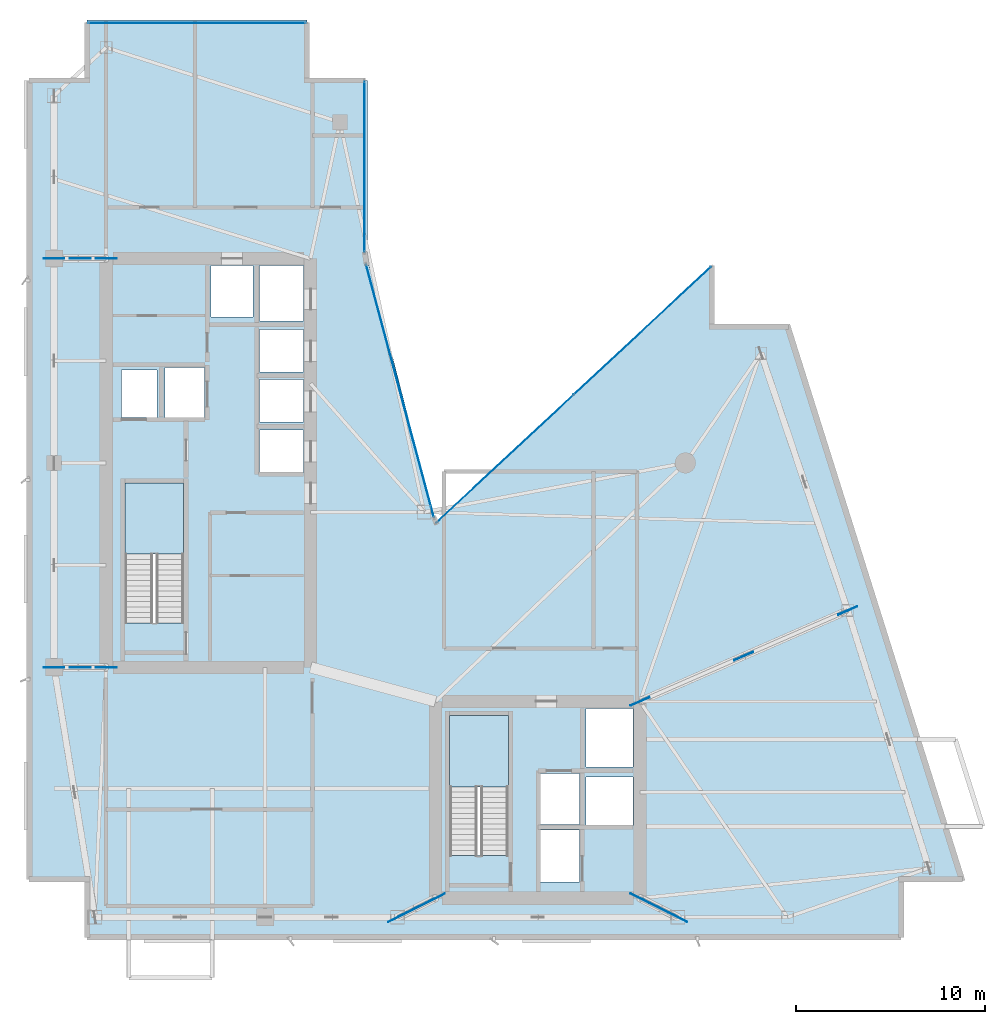
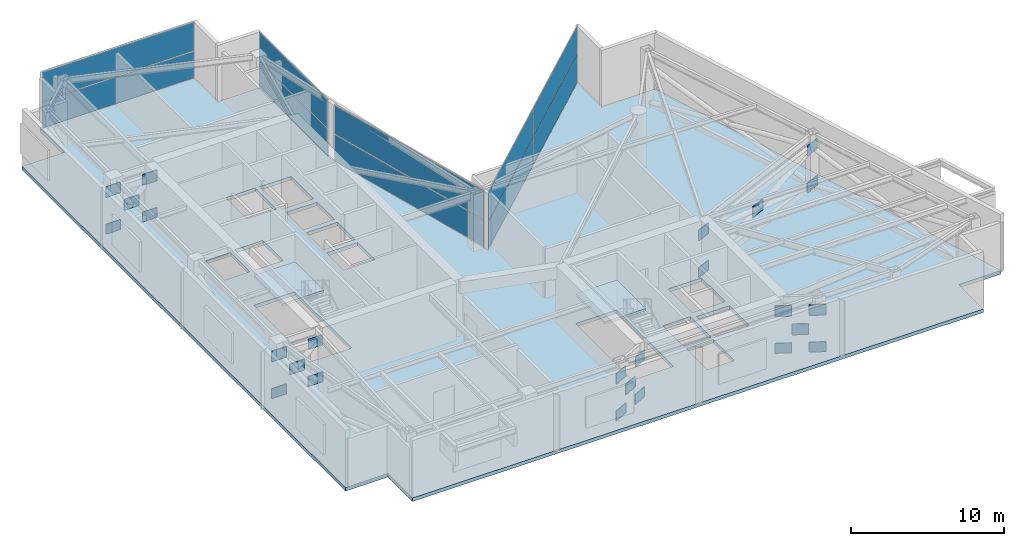
# One storey, part 9 of 16: 35 plates, 3 slabs, 6 elements without a shape of their own.
"""IFC4 building model written with IfcOpenShell, lengths in metres."""

import ifcopenshell
import ifcopenshell.guid

model = None  # the IFC model being written
_history = None  # IfcOwnerHistory: only IFC2X3 demands one
_inside = {}  # id of a spatial element -> (the spatial element, [elements in it])
_under = {}  # id of a project, library or spatial element -> (it, [spatial elements below it])
_declared = {}  # id of a project -> (the project, [libraries it declares])
_typed = {}  # id of a type object -> (the type object, [elements of that type])
_made_of = {}  # id of a material, layer set ... -> (it, [elements and type objects made of it])


def new_model(schema):
    """Start an empty IFC model of exactly this schema.

    Asked for "IFC4X3", IfcOpenShell would pick the latest addendum, in which some entities
    have other attributes; the version numbers below select the first issue.
    IFC2X3 requires an IfcOwnerHistory on every rooted entity: one is made here for all.
    """
    global model, _history
    if schema == "IFC4X3":
        model = ifcopenshell.file(schema_version=(4, 3, 0, 0))
    else:
        model = ifcopenshell.file(schema=schema)
    _inside.clear()
    _under.clear()
    _declared.clear()
    _typed.clear()
    _made_of.clear()
    _history = None
    if model.schema == "IFC2X3":
        org = make("IfcOrganization", Name="unknown")
        user = make(
            "IfcPersonAndOrganization",
            ThePerson=make("IfcPerson", FamilyName="unknown"),
            TheOrganization=org,
        )
        app = make(
            "IfcApplication",
            ApplicationDeveloper=org,
            Version="unknown",
            ApplicationFullName="unknown",
            ApplicationIdentifier="unknown",
        )
        _history = make(
            "IfcOwnerHistory",
            OwningUser=user,
            OwningApplication=app,
            ChangeAction="ADDED",
            CreationDate=0,
        )
    return model


def make(cls, **values):
    """One entity of the class cls with the attributes given. An attribute that is None is left unset."""
    return model.create_entity(
        cls, **{name: value for name, value in values.items() if value is not None}
    )


def rooted(cls, **values):
    """An entity with a GlobalId (a new one), such as an element, a storey or a relation."""
    return make(cls, GlobalId=ifcopenshell.guid.new(), OwnerHistory=_history, **values)


def si_unit(unit_type, name, prefix=None):
    """IfcSIUnit, for example si_unit("LENGTHUNIT", "METRE", prefix="MILLI")."""
    return make("IfcSIUnit", UnitType=unit_type, Prefix=prefix, Name=name)


def assignment(units):
    """IfcUnitAssignment: the units of a project."""
    return None if units is None else make("IfcUnitAssignment", Units=units)


def point(xyz):
    """IfcCartesianPoint."""
    return None if xyz is None else make("IfcCartesianPoint", Coordinates=xyz)


def direction(xyz):
    """IfcDirection."""
    return None if xyz is None else make("IfcDirection", DirectionRatios=xyz)


def frame(location, z_axis=None, x_axis=None):
    """IfcAxis2Placement3D, a coordinate frame: its origin and axes. An axis left out is left unset."""
    return make(
        "IfcAxis2Placement3D",
        Location=point(location),
        Axis=direction(z_axis),
        RefDirection=direction(x_axis),
    )


def frame_2d(location, x_axis=None):
    """IfcAxis2Placement2D, a coordinate frame in the plane: its origin and x axis."""
    return make(
        "IfcAxis2Placement2D", Location=point(location), RefDirection=direction(x_axis)
    )


def origin():
    """The frame at (0, 0, 0) with its axes left unset."""
    return frame((0.0, 0.0, 0.0))


def origin_2d():
    """The frame at (0, 0) in the plane with its x axis left unset."""
    return frame_2d((0.0, 0.0))


def place(relative_to, where):
    """IfcLocalPlacement: puts the frame where relative to a parent placement (None: the world)."""
    return make(
        "IfcLocalPlacement", PlacementRelTo=relative_to, RelativePlacement=where
    )


def context(
    kind, dimensions, precision=None, world=None, true_north=None, identifier=None
):
    """IfcGeometricRepresentationContext, for example the 3D "Model" context."""
    return make(
        "IfcGeometricRepresentationContext",
        ContextIdentifier=identifier,
        ContextType=kind,
        CoordinateSpaceDimension=dimensions,
        Precision=precision,
        WorldCoordinateSystem=world,
        TrueNorth=true_north,
    )


def subcontext(parent, identifier, kind, view, scale=None):
    """IfcGeometricRepresentationSubContext, for example "Body" below "Model"."""
    return make(
        "IfcGeometricRepresentationSubContext",
        ContextIdentifier=identifier,
        ContextType=kind,
        ParentContext=parent,
        TargetScale=scale,
        TargetView=view,
    )


def project(units=None, contexts=None):
    """IfcProject with its units and contexts."""
    return rooted(
        "IfcProject",
        Name="project",
        RepresentationContexts=contexts,
        UnitsInContext=assignment(units),
    )


def spatial(cls, under=None, at=None, **own):
    """A site, building, storey or space (cls), placed at a placement, below another one or the project."""
    s = rooted(cls, ObjectPlacement=at, **own)
    if under is not None:
        _under.setdefault(under.id(), (under, []))[1].append(s)
    return s


def polyline(points):
    """IfcPolyline through the points."""
    return make("IfcPolyline", Points=[point(p) for p in points])


def profile(cls, at=None, kind="AREA", **sizes):
    """A parametric profile (cls). Its sizes go by their IFC names, for example OverallWidth=200.0."""
    return make(cls, ProfileType=kind, Position=at, **sizes)


def rectangle(**sizes):
    """IfcRectangleProfileDef."""
    return profile("IfcRectangleProfileDef", **sizes)


def outline(outer, holes=None, kind="AREA"):
    """IfcArbitraryClosedProfileDef: a profile drawn as a closed curve; with holes, ...WithVoids."""
    if holes is None:
        return make("IfcArbitraryClosedProfileDef", ProfileType=kind, OuterCurve=outer)
    return make(
        "IfcArbitraryProfileDefWithVoids",
        ProfileType=kind,
        OuterCurve=outer,
        InnerCurves=holes,
    )


def extrude(swept, where, along, depth):
    """IfcExtrudedAreaSolid: the profile swept, set in the frame where, extruded along a direction by depth."""
    return make(
        "IfcExtrudedAreaSolid",
        SweptArea=swept,
        Position=where,
        ExtrudedDirection=direction(along),
        Depth=depth,
    )


def shape(context_of_items, identifier, shape_type, items):
    """IfcShapeRepresentation: the items that make up one representation, for example the "Body"."""
    return make(
        "IfcShapeRepresentation",
        ContextOfItems=context_of_items,
        RepresentationIdentifier=identifier,
        RepresentationType=shape_type,
        Items=items,
    )


def material(Name=None, Category=None):
    """IfcMaterial."""
    return make("IfcMaterial", Name=Name, Category=Category)


def layer(
    of_material, thickness, ventilated=None, Name=None, Category=None, Priority=None
):
    """IfcMaterialLayer: one layer of a wall or slab, of a material (None: an air gap)."""
    return make(
        "IfcMaterialLayer",
        Material=of_material,
        LayerThickness=thickness,
        IsVentilated=ventilated,
        Name=Name,
        Category=Category,
        Priority=Priority,
    )


def layer_set(layers, Name=None):
    """IfcMaterialLayerSet."""
    return make("IfcMaterialLayerSet", MaterialLayers=layers, LayerSetName=Name)


def made_of(thing, what):
    """Note that an element or type object is made of a material, layer set ...; save() writes the relation."""
    if what is not None:
        _made_of.setdefault(what.id(), (what, []))[1].append(thing)
    return thing


def type_object(cls, material=None, **own):
    """A type object (cls), such as IfcWallType, which elements share."""
    return made_of(rooted(cls, **own), material)


def element(
    cls,
    number,
    at=None,
    inside=None,
    cuts=None,
    type_object=None,
    material=None,
    context=None,
    identifier="Body",
    shape_type=None,
    held_by="IfcProductDefinitionShape",
    body=None,
    shapes=None,
    **own,
):
    """One element of the class cls, such as IfcWall. Its Tag is "e" and its number.

    at: its placement. inside: the storey or other place that contains it. cuts: it is an
    opening in that element (IfcRelVoidsElement). A single representation is given by context,
    identifier, shape_type and body (its items); several are given by shapes. held_by: the class
    of the entity that holds the representations. save() writes the other relations.
    """
    e = rooted(cls, Tag="e%d" % number, ObjectPlacement=at, **own)
    if body is not None:
        shapes = [shape(context, identifier, shape_type, body)]
    if shapes is not None:
        e.Representation = make(held_by, Representations=shapes)
    if inside is not None:
        _inside.setdefault(inside.id(), (inside, []))[1].append(e)
    if cuts is not None:
        rooted(
            "IfcRelVoidsElement", RelatingBuildingElement=cuts, RelatedOpeningElement=e
        )
    if type_object is not None:
        _typed.setdefault(type_object.id(), (type_object, []))[1].append(e)
    return made_of(e, material)


def aggregate(whole, parts):
    """IfcRelAggregates: a whole, such as a stair, and the parts it consists of."""
    return rooted("IfcRelAggregates", RelatingObject=whole, RelatedObjects=parts)


def save(model, path):
    """Write the relations noted so far, then the file.

    IfcRelAggregates (storeys below a building ...), IfcRelContainedInSpatialStructure (elements
    in a storey), IfcRelDefinesByType, IfcRelAssociatesMaterial and IfcRelDeclares: one each for
    every whole, place, type object, material and project.
    """
    for whole, parts in _under.values():
        aggregate(whole, parts)
    for where, things in _inside.values():
        rooted(
            "IfcRelContainedInSpatialStructure",
            RelatedElements=things,
            RelatingStructure=where,
        )
    for kind, things in _typed.values():
        rooted("IfcRelDefinesByType", RelatedObjects=things, RelatingType=kind)
    for what, things in _made_of.values():
        rooted("IfcRelAssociatesMaterial", RelatedObjects=things, RelatingMaterial=what)
    for by, libraries in _declared.values():
        rooted("IfcRelDeclares", RelatingContext=by, RelatedDefinitions=libraries)
    model.write(path)


model = new_model("IFC4")

# Units and contexts
model_context = context("Model", 3, precision=1e-05, world=origin(), true_north=direction((0.0, 1.0)))
body_context = subcontext(model_context, "Body", "Model", "MODEL_VIEW")
ifc_project = project(units=[si_unit("LENGTHUNIT", "METRE"), si_unit("AREAUNIT", "SQUARE_METRE"), si_unit("VOLUMEUNIT", "CUBIC_METRE"), si_unit("PLANEANGLEUNIT", "RADIAN"), si_unit("MASSUNIT", "GRAM", prefix="KILO")], contexts=[model_context])

# Site, building, storey
site_placement = place(None, origin())
site = spatial("IfcSite", under=ifc_project, at=site_placement, CompositionType="ELEMENT")
building_placement = place(site_placement, origin())
building = spatial("IfcBuilding", under=site, at=building_placement, Name="Calvorn Quay Hotel", CompositionType="ELEMENT")
storey_placement = place(building_placement, frame((0.0, 0.0, 234.5)))
storey = spatial("IfcBuildingStorey", under=building, at=storey_placement, Name="L58", CompositionType="ELEMENT", Elevation=234.5)

# Curtain wall, plates
ifc_material_1 = material(Name="Champagne Bronze Anodised Aluminium and Low-E Glass", Category="aluminium")
ifc_layer_1 = layer(ifc_material_1, 0.219970703125)
ifc_layer_set_1 = layer_set([ifc_layer_1], Name="CW-SYS-Z3")
curtain_wall_type = type_object("IfcCurtainWallType", Name="CW-SYS-Z3", PredefinedType="NOTDEFINED", material=ifc_layer_set_1)
curtain_wall_1_placement = place(storey_placement, origin())
curtain_wall_1 = element("IfcCurtainWall", 1, at=curtain_wall_1_placement, inside=storey, type_object=curtain_wall_type, Name="Inner Court Curtain Wall L58-NE1", PredefinedType="NOTDEFINED")
ifc_material_2 = material(Name="Low-E Laminated Double Glazing", Category="glass")
ifc_layer_2 = layer(ifc_material_2, 0.028076171875)
ifc_layer_set_2 = layer_set([ifc_layer_2], Name="CW-SYS-Z3-PAN")
plate_type_1 = type_object("IfcPlateType", Name="CW-SYS-Z3-PAN", PredefinedType="CURTAIN_PANEL", material=ifc_layer_set_2)
plate_1_placement = place(storey_placement, frame((32.5390625, 34.58984375, 0.06005859375), z_axis=(0.0, 0.0, 1.0), x_axis=(-0.731721570922, -0.681603655102, 0.0)))
plate_1 = element("IfcPlate", 2, at=plate_1_placement, type_object=plate_type_1, Name="CW-L58-NE1 panel 1.1", PredefinedType="CURTAIN_PANEL", context=body_context, shape_type="SweptSolid", body=[
    extrude(rectangle(XDim=9.886474609375, YDim=0.028076171875, at=origin_2d()), origin(), (0.0, 0.0, 1.0), 2.110107421875),
])
plate_2_placement = place(storey_placement, frame((32.5390625, 34.58984375, 2.22998046875), z_axis=(0.0, 0.0, 1.0), x_axis=(-0.731721570922, -0.681603655102, 0.0)))
plate_2 = element("IfcPlate", 3, at=plate_2_placement, type_object=plate_type_1, Name="CW-L58-NE1 panel 1.2", PredefinedType="CURTAIN_PANEL", context=body_context, shape_type="SweptSolid", body=[
    extrude(rectangle(XDim=9.886474609375, YDim=0.028076171875, at=origin_2d()), origin(), (0.0, 0.0, 1.0), 2.27001953125),
])
plate_3_placement = place(storey_placement, frame((25.260986328125, 27.810302734375, 0.06005859375), z_axis=(0.0, 0.0, 1.0), x_axis=(-0.731721570922, -0.681603655102, 0.0)))
plate_3 = element("IfcPlate", 4, at=plate_3_placement, type_object=plate_type_1, Name="CW-L58-NE1 panel 2.1", PredefinedType="CURTAIN_PANEL", context=body_context, shape_type="SweptSolid", body=[
    extrude(rectangle(XDim=9.886474609375, YDim=0.028076171875, at=origin_2d()), origin(), (0.0, 0.0, 1.0), 2.110107421875),
])
plate_4_placement = place(storey_placement, frame((25.260986328125, 27.810302734375, 2.22998046875), z_axis=(0.0, 0.0, 1.0), x_axis=(-0.731721570922, -0.681603655102, 0.0)))
plate_4 = element("IfcPlate", 5, at=plate_4_placement, type_object=plate_type_1, Name="CW-L58-NE1 panel 2.2", PredefinedType="CURTAIN_PANEL", context=body_context, shape_type="SweptSolid", body=[
    extrude(rectangle(XDim=9.886474609375, YDim=0.028076171875, at=origin_2d()), origin(), (0.0, 0.0, 1.0), 2.27001953125),
])
aggregate(curtain_wall_1, [plate_1, plate_2, plate_3, plate_4])

curtain_wall_2_placement = place(storey_placement, origin())
curtain_wall_2 = element("IfcCurtainWall", 6, at=curtain_wall_2_placement, inside=storey, type_object=curtain_wall_type, Name="Inner Court Curtain Wall L58-IC1", PredefinedType="NOTDEFINED")
plate_5_placement = place(storey_placement, frame((19.72509765625, 31.39990234375, 0.06005859375), z_axis=(0.0, 0.0, 1.0), x_axis=(-0.25877913024, 0.96593652056, 0.0)))
plate_5 = element("IfcPlate", 7, at=plate_5_placement, type_object=plate_type_1, Name="CW-L58-IC1 panel 1.1", PredefinedType="CURTAIN_PANEL", context=body_context, shape_type="SweptSolid", body=[
    extrude(rectangle(XDim=13.814697265625, YDim=0.028076171875, at=origin_2d()), origin(), (0.0, 0.0, 1.0), 2.110107421875),
])
plate_6_placement = place(storey_placement, frame((19.72509765625, 31.39990234375, 2.22998046875), z_axis=(0.0, 0.0, 1.0), x_axis=(-0.25877913024, 0.96593652056, 0.0)))
plate_6 = element("IfcPlate", 8, at=plate_6_placement, type_object=plate_type_1, Name="CW-L58-IC1 panel 1.2", PredefinedType="CURTAIN_PANEL", context=body_context, shape_type="SweptSolid", body=[
    extrude(rectangle(XDim=13.814697265625, YDim=0.028076171875, at=origin_2d()), origin(), (0.0, 0.0, 1.0), 2.27001953125),
])
aggregate(curtain_wall_2, [plate_5, plate_6])

curtain_wall_3_placement = place(storey_placement, origin())
curtain_wall_3 = element("IfcCurtainWall", 9, at=curtain_wall_3_placement, inside=storey, type_object=curtain_wall_type, Name="Inner Court Curtain Wall L58-IC2", PredefinedType="NOTDEFINED")
plate_7_placement = place(storey_placement, frame((17.85009765625, 43.239990234375, 0.06005859375), z_axis=(0.0, 0.0, 1.0), x_axis=(0.0, 1.0, 0.0)))
plate_7 = element("IfcPlate", 10, at=plate_7_placement, type_object=plate_type_1, Name="CW-L58-IC2 panel 1.1", PredefinedType="CURTAIN_PANEL", context=body_context, shape_type="SweptSolid", body=[
    extrude(rectangle(XDim=9.0, YDim=0.028076171875, at=origin_2d()), origin(), (0.0, 0.0, 1.0), 2.110107421875),
])
plate_8_placement = place(storey_placement, frame((17.85009765625, 43.239990234375, 2.22998046875), z_axis=(0.0, 0.0, 1.0), x_axis=(0.0, 1.0, 0.0)))
plate_8 = element("IfcPlate", 11, at=plate_8_placement, type_object=plate_type_1, Name="CW-L58-IC2 panel 1.2", PredefinedType="CURTAIN_PANEL", context=body_context, shape_type="SweptSolid", body=[
    extrude(rectangle(XDim=9.0, YDim=0.028076171875, at=origin_2d()), origin(), (0.0, 0.0, 1.0), 2.27001953125),
])
aggregate(curtain_wall_3, [plate_7, plate_8])

curtain_wall_4_placement = place(storey_placement, origin())
curtain_wall_4 = element("IfcCurtainWall", 12, at=curtain_wall_4_placement, inside=storey, type_object=curtain_wall_type, Name="Inner Court Curtain Wall L58-N1", PredefinedType="NOTDEFINED")
plate_9_placement = place(storey_placement, frame((9.0, 50.85009765625, 0.06005859375), z_axis=(0.0, 0.0, 1.0), x_axis=(-1.0, 0.0, 0.0)))
plate_9 = element("IfcPlate", 13, at=plate_9_placement, type_object=plate_type_1, Name="CW-L58-N1 panel 1.1", PredefinedType="CURTAIN_PANEL", context=body_context, shape_type="SweptSolid", body=[
    extrude(rectangle(XDim=11.47998046875, YDim=0.028076171875, at=origin_2d()), origin(), (0.0, 0.0, 1.0), 2.110107421875),
])
plate_10_placement = place(storey_placement, frame((9.0, 50.85009765625, 2.22998046875), z_axis=(0.0, 0.0, 1.0), x_axis=(-1.0, 0.0, 0.0)))
plate_10 = element("IfcPlate", 14, at=plate_10_placement, type_object=plate_type_1, Name="CW-L58-N1 panel 1.2", PredefinedType="CURTAIN_PANEL", context=body_context, shape_type="SweptSolid", body=[
    extrude(rectangle(XDim=11.47998046875, YDim=0.028076171875, at=origin_2d()), origin(), (0.0, 0.0, 1.0), 2.27001953125),
])
aggregate(curtain_wall_4, [plate_9, plate_10])

# Plates
ifc_material_3 = material(Name="Steel Q390GJC", Category="steel")
ifc_layer_3 = layer(ifc_material_3, 0.035888671875)
ifc_layer_set_3 = layer_set([ifc_layer_3], Name="PLT-GUSSET-36")
plate_type_2 = type_object("IfcPlateType", Name="PLT-GUSSET-36", PredefinedType="SHEET", material=ifc_layer_set_3)
for number, where, z_axis, x_axis, name in (
    (15, (4.199951171875, 16.800048828125, -0.074951171875), (0.0, 0.0, 1.0), (-1.0, 0.0, 0.0), "Outrigger Gusset Plate L58-OW1-C"),
    (16, (4.199951171875, 16.800048828125, 2.9150390625), (0.0, 0.0, 1.0), (-1.0, 0.0, 0.0), "Outrigger Gusset Plate L58-OW1-CT"),
    (17, (2.824951171875, 16.800048828125, 1.419921875), (0.0, 0.0, 1.0), (-1.0, 0.0, 0.0), "Outrigger Gusset Plate L58-OW1-X"),
    (18, (1.449951171875, 16.800048828125, -0.074951171875), (0.0, 0.0, 1.0), (-1.0, 0.0, 0.0), "Outrigger Gusset Plate L58-OW1-E"),
    (19, (1.449951171875, 16.800048828125, 2.9150390625), (0.0, 0.0, 1.0), (-1.0, 0.0, 0.0), "Outrigger Gusset Plate L58-OW1-ET"),
    (20, (4.199951171875, 38.39990234375, -0.074951171875), (0.0, 0.0, 1.0), (-1.0, 0.0, 0.0), "Outrigger Gusset Plate L58-OW2-C"),
    (21, (4.199951171875, 38.39990234375, 2.9150390625), (0.0, 0.0, 1.0), (-1.0, 0.0, 0.0), "Outrigger Gusset Plate L58-OW2-CT"),
    (22, (2.824951171875, 38.39990234375, 1.419921875), (0.0, 0.0, 1.0), (-1.0, 0.0, 0.0), "Outrigger Gusset Plate L58-OW2-X"),
    (23, (1.449951171875, 38.39990234375, -0.074951171875), (0.0, 0.0, 1.0), (-1.0, 0.0, 0.0), "Outrigger Gusset Plate L58-OW2-E"),
    (24, (1.449951171875, 38.39990234375, 2.9150390625), (0.0, 0.0, 1.0), (-1.0, 0.0, 0.0), "Outrigger Gusset Plate L58-OW2-ET"),
    (25, (21.60009765625, 4.60009765625, -0.074951171875), (0.0, 0.0, 1.0), (-0.89438856037, -0.447290848419, 0.0), "Outrigger Gusset Plate L58-OE1-C"),
    (26, (21.60009765625, 4.60009765625, 2.9150390625), (0.0, 0.0, 1.0), (-0.89438856037, -0.447290848419, 0.0), "Outrigger Gusset Plate L58-OE1-CT"),
    (27, (20.60009765625, 4.10009765625, 1.419921875), (0.0, 0.0, 1.0), (-0.89438856037, -0.447290848419, 0.0), "Outrigger Gusset Plate L58-OE1-X"),
    (28, (19.60009765625, 3.60009765625, -0.074951171875), (0.0, 0.0, 1.0), (-0.89438856037, -0.447290848419, 0.0), "Outrigger Gusset Plate L58-OE1-E"),
    (29, (19.60009765625, 3.60009765625, 2.9150390625), (0.0, 0.0, 1.0), (-0.89438856037, -0.447290848419, 0.0), "Outrigger Gusset Plate L58-OE1-ET"),
    (30, (32.39990234375, 4.60009765625, -0.074951171875), (0.0, 0.0, 1.0), (0.89438856037, -0.447290848419, 0.0), "Outrigger Gusset Plate L58-OE2-C"),
    (31, (32.39990234375, 4.60009765625, 2.9150390625), (0.0, 0.0, 1.0), (0.89438856037, -0.447290848419, 0.0), "Outrigger Gusset Plate L58-OE2-CT"),
    (32, (33.39990234375, 4.10009765625, 1.419921875), (0.0, 0.0, 1.0), (0.89438856037, -0.447290848419, 0.0), "Outrigger Gusset Plate L58-OE2-X"),
    (33, (34.39990234375, 3.60009765625, -0.074951171875), (0.0, 0.0, 1.0), (0.89438856037, -0.447290848419, 0.0), "Outrigger Gusset Plate L58-OE2-E"),
    (34, (34.39990234375, 3.60009765625, 2.9150390625), (0.0, 0.0, 1.0), (0.89438856037, -0.447290848419, 0.0), "Outrigger Gusset Plate L58-OE2-ET"),
    (35, (32.39990234375, 15.0, -0.074951171875), (0.0, 0.0, 1.0), (0.916222925562, 0.400668879095, 0.0), "Outrigger Gusset Plate L58-OE3-C"),
    (36, (32.39990234375, 15.0, 2.9150390625), (0.0, 0.0, 1.0), (0.916222925562, 0.400668879095, 0.0), "Outrigger Gusset Plate L58-OE3-CT"),
    (37, (37.887939453125, 17.39990234375, 1.419921875), (0.0, 0.0, 1.0), (0.916222925562, 0.400668879095, 0.0), "Outrigger Gusset Plate L58-OE3-X"),
    (38, (43.3759765625, 19.800048828125, -0.074951171875), (0.0, 0.0, 1.0), (0.916222925562, 0.400668879095, 0.0), "Outrigger Gusset Plate L58-OE3-E"),
    (39, (43.3759765625, 19.800048828125, 2.9150390625), (0.0, 0.0, 1.0), (0.916222925562, 0.400668879095, 0.0), "Outrigger Gusset Plate L58-OE3-ET"),
):
    element("IfcPlate", number, at=place(storey_placement, frame(where, z_axis=z_axis, x_axis=x_axis)), inside=storey, type_object=plate_type_2, Name=name, PredefinedType="SHEET", context=body_context, shape_type="SweptSolid", body=[
        extrude(rectangle(XDim=1.10009765625, YDim=0.035888671875, at=origin_2d()), origin(), (0.0, 0.0, 1.0), 0.85009765625),
    ])

# Slab
ifc_material_4 = material(Name="Concrete C40", Category="concrete")
ifc_layer_4 = layer(ifc_material_4, 0.280029296875)
ifc_layer_set_4 = layer_set([ifc_layer_4], Name="SLB-REFUGE-280")
slab_type_1 = type_object("IfcSlabType", Name="SLB-REFUGE-280", PredefinedType="FLOOR", material=ifc_layer_set_4)
slab_1_placement = place(storey_placement, frame((0.0, 0.0, -0.280029296875)))
element("IfcSlab", 40, at=slab_1_placement, inside=storey, type_object=slab_type_1, Name="L58 Structural Floor Slab", PredefinedType="FLOOR", context=body_context, shape_type="SweptSolid", body=[
    extrude(outline(polyline([(0.0, 5.60009765625), (3.199951171875, 5.60009765625), (3.199951171875, 2.39990234375), (46.199951171875, 2.39990234375), (46.199951171875, 5.60009765625), (49.39990234375, 5.60009765625), (40.199951171875, 34.800048828125), (36.199951171875, 34.800048828125), (36.199951171875, 38.0), (21.60009765625, 24.39990234375), (18.0, 38.39990234375), (18.0, 47.800048828125), (14.800048828125, 47.800048828125), (14.800048828125, 51.0), (3.199951171875, 51.0), (3.199951171875, 47.800048828125), (0.0, 47.800048828125), (0.0, 5.60009765625)]), holes=[polyline([(5.199951171875, 19.156005859375), (8.300048828125, 19.156005859375), (8.300048828125, 26.550048828125), (5.199951171875, 26.550048828125), (5.199951171875, 19.156005859375)]), polyline([(22.35009765625, 6.85595703125), (25.449951171875, 6.85595703125), (25.449951171875, 14.25), (22.35009765625, 14.25), (22.35009765625, 6.85595703125)]), polyline([(5.0, 30.0), (6.89990234375, 30.0), (6.89990234375, 32.5), (5.0, 32.5), (5.0, 30.0)]), polyline([(7.300048828125, 30.0), (9.39990234375, 30.0), (9.39990234375, 32.64990234375), (7.300048828125, 32.64990234375), (7.300048828125, 30.0)]), polyline([(27.159912109375, 8.5), (29.2099609375, 8.5), (29.2099609375, 11.199951171875), (27.159912109375, 11.199951171875), (27.159912109375, 8.5)]), polyline([(27.159912109375, 5.449951171875), (29.2099609375, 5.449951171875), (29.2099609375, 8.199951171875), (27.159912109375, 8.199951171875), (27.159912109375, 5.449951171875)]), polyline([(12.300048828125, 27.10009765625), (14.639892578125, 27.10009765625), (14.639892578125, 29.35009765625), (12.300048828125, 29.35009765625), (12.300048828125, 27.10009765625)]), polyline([(12.300048828125, 29.75), (14.639892578125, 29.75), (14.639892578125, 32.0), (12.300048828125, 32.0), (12.300048828125, 29.75)]), polyline([(12.300048828125, 32.39990234375), (14.639892578125, 32.39990234375), (14.639892578125, 34.64990234375), (12.300048828125, 34.64990234375), (12.300048828125, 32.39990234375)]), polyline([(12.300048828125, 35.10009765625), (14.639892578125, 35.10009765625), (14.639892578125, 38.0400390625), (12.300048828125, 38.0400390625), (12.300048828125, 35.10009765625)]), polyline([(9.75, 35.300048828125), (11.949951171875, 35.300048828125), (11.949951171875, 38.0400390625), (9.75, 38.0400390625), (9.75, 35.300048828125)]), polyline([(29.550048828125, 11.550048828125), (32.0400390625, 11.550048828125), (32.0400390625, 14.639892578125), (29.550048828125, 14.639892578125), (29.550048828125, 11.550048828125)]), polyline([(29.550048828125, 8.449951171875), (32.0400390625, 8.449951171875), (32.0400390625, 11.0), (29.550048828125, 11.0), (29.550048828125, 8.449951171875)])]), origin(), (0.0, 0.0, 1.0), 0.280029296875),
])

# Stair, slab
ifc_material_5 = material(Name="Concrete C40", Category="concrete")
stair_type = type_object("IfcStairType", Name="STR-CORE-DOGLEG", PredefinedType="HALF_TURN_STAIR", material=ifc_material_5)
stair_1_placement = place(storey_placement, origin())
stair_1 = element("IfcStair", 41, at=stair_1_placement, inside=storey, type_object=stair_type, Name="L58 ST-W", PredefinedType="HALF_TURN_STAIR")
ifc_material_6 = material(Name="Concrete C40", Category="concrete")
ifc_layer_5 = layer(ifc_material_6, 0.199951171875)
ifc_layer_set_5 = layer_set([ifc_layer_5], Name="SLB-STAIR-LANDING-200")
slab_type_2 = type_object("IfcSlabType", Name="SLB-STAIR-LANDING-200", PredefinedType="LANDING", material=ifc_layer_set_5)
slab_2_placement = place(storey_placement, frame((0.0, 0.0, 2.199951171875)))
slab_2 = element("IfcSlab", 42, at=slab_2_placement, type_object=slab_type_2, Name="ST-W landing 1", PredefinedType="LANDING", context=body_context, shape_type="SweptSolid", body=[
    extrude(outline(polyline([(8.300048828125, 22.7900390625), (8.300048828125, 26.550048828125), (5.199951171875, 26.550048828125), (5.199951171875, 22.7900390625), (8.300048828125, 22.7900390625)])), origin(), (0.0, 0.0, 1.0), 0.199951171875),
])
aggregate(stair_1, [slab_2])

stair_2_placement = place(storey_placement, origin())
stair_2 = element("IfcStair", 43, at=stair_2_placement, inside=storey, type_object=stair_type, Name="L58 ST-E", PredefinedType="HALF_TURN_STAIR")
slab_3_placement = place(storey_placement, frame((0.0, 0.0, 2.199951171875)))
slab_3 = element("IfcSlab", 44, at=slab_3_placement, type_object=slab_type_2, Name="ST-E landing 1", PredefinedType="LANDING", context=body_context, shape_type="SweptSolid", body=[
    extrude(outline(polyline([(25.449951171875, 10.489990234375), (25.449951171875, 14.25), (22.35009765625, 14.25), (22.35009765625, 10.489990234375), (25.449951171875, 10.489990234375)])), origin(), (0.0, 0.0, 1.0), 0.199951171875),
])
aggregate(stair_2, [slab_3])

save(model, "model.ifc")
